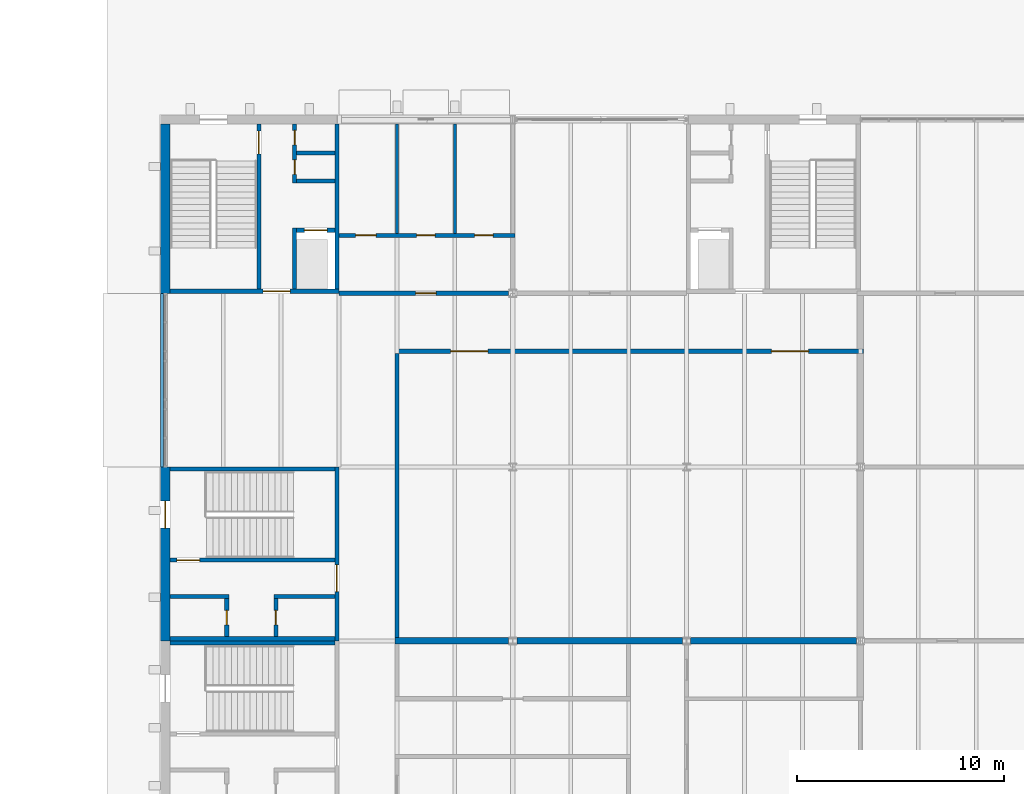
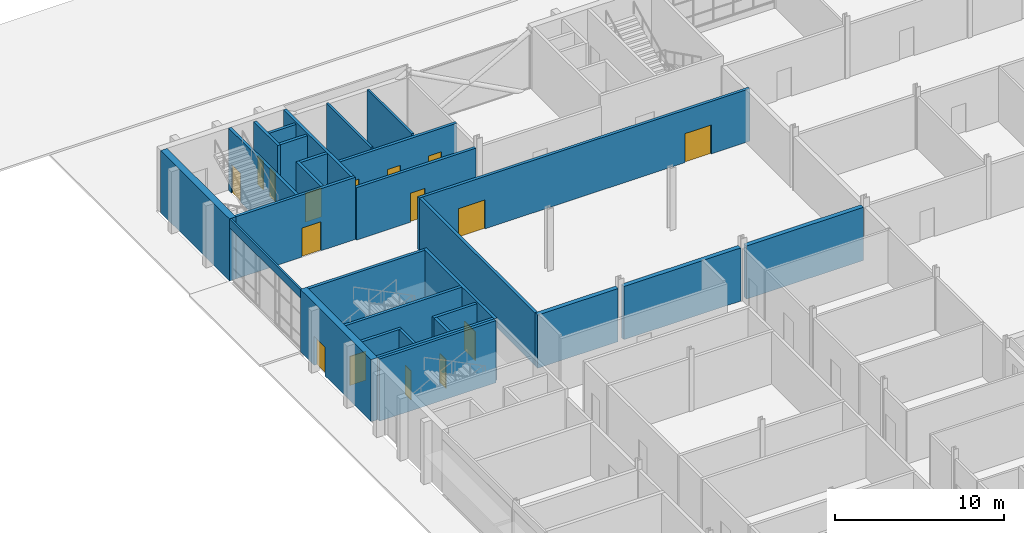
# One storey, part 90 of 116: 29 walls, 16 doors, 16 openings.
"""IFC4 building model written with IfcOpenShell, lengths in metres."""

import ifcopenshell
import ifcopenshell.guid

model = None  # the IFC model being written
_history = None  # IfcOwnerHistory: only IFC2X3 demands one
_inside = {}  # id of a spatial element -> (the spatial element, [elements in it])
_under = {}  # id of a project, library or spatial element -> (it, [spatial elements below it])
_declared = {}  # id of a project -> (the project, [libraries it declares])
_typed = {}  # id of a type object -> (the type object, [elements of that type])
_made_of = {}  # id of a material, layer set ... -> (it, [elements and type objects made of it])


def new_model(schema):
    """Start an empty IFC model of exactly this schema.

    Asked for "IFC4X3", IfcOpenShell would pick the latest addendum, in which some entities
    have other attributes; the version numbers below select the first issue.
    IFC2X3 requires an IfcOwnerHistory on every rooted entity: one is made here for all.
    """
    global model, _history
    if schema == "IFC4X3":
        model = ifcopenshell.file(schema_version=(4, 3, 0, 0))
    else:
        model = ifcopenshell.file(schema=schema)
    _inside.clear()
    _under.clear()
    _declared.clear()
    _typed.clear()
    _made_of.clear()
    _history = None
    if model.schema == "IFC2X3":
        org = make("IfcOrganization", Name="unknown")
        user = make(
            "IfcPersonAndOrganization",
            ThePerson=make("IfcPerson", FamilyName="unknown"),
            TheOrganization=org,
        )
        app = make(
            "IfcApplication",
            ApplicationDeveloper=org,
            Version="unknown",
            ApplicationFullName="unknown",
            ApplicationIdentifier="unknown",
        )
        _history = make(
            "IfcOwnerHistory",
            OwningUser=user,
            OwningApplication=app,
            ChangeAction="ADDED",
            CreationDate=0,
        )
    return model


def make(cls, **values):
    """One entity of the class cls with the attributes given. An attribute that is None is left unset."""
    return model.create_entity(
        cls, **{name: value for name, value in values.items() if value is not None}
    )


def rooted(cls, **values):
    """An entity with a GlobalId (a new one), such as an element, a storey or a relation."""
    return make(cls, GlobalId=ifcopenshell.guid.new(), OwnerHistory=_history, **values)


def si_unit(unit_type, name, prefix=None):
    """IfcSIUnit, for example si_unit("LENGTHUNIT", "METRE", prefix="MILLI")."""
    return make("IfcSIUnit", UnitType=unit_type, Prefix=prefix, Name=name)


def assignment(units):
    """IfcUnitAssignment: the units of a project."""
    return None if units is None else make("IfcUnitAssignment", Units=units)


def point(xyz):
    """IfcCartesianPoint."""
    return None if xyz is None else make("IfcCartesianPoint", Coordinates=xyz)


def direction(xyz):
    """IfcDirection."""
    return None if xyz is None else make("IfcDirection", DirectionRatios=xyz)


def frame(location, z_axis=None, x_axis=None):
    """IfcAxis2Placement3D, a coordinate frame: its origin and axes. An axis left out is left unset."""
    return make(
        "IfcAxis2Placement3D",
        Location=point(location),
        Axis=direction(z_axis),
        RefDirection=direction(x_axis),
    )


def frame_2d(location, x_axis=None):
    """IfcAxis2Placement2D, a coordinate frame in the plane: its origin and x axis."""
    return make(
        "IfcAxis2Placement2D", Location=point(location), RefDirection=direction(x_axis)
    )


def origin():
    """The frame at (0, 0, 0) with its axes left unset."""
    return frame((0.0, 0.0, 0.0))


def place(relative_to, where):
    """IfcLocalPlacement: puts the frame where relative to a parent placement (None: the world)."""
    return make(
        "IfcLocalPlacement", PlacementRelTo=relative_to, RelativePlacement=where
    )


def context(
    kind, dimensions, precision=None, world=None, true_north=None, identifier=None
):
    """IfcGeometricRepresentationContext, for example the 3D "Model" context."""
    return make(
        "IfcGeometricRepresentationContext",
        ContextIdentifier=identifier,
        ContextType=kind,
        CoordinateSpaceDimension=dimensions,
        Precision=precision,
        WorldCoordinateSystem=world,
        TrueNorth=true_north,
    )


def subcontext(parent, identifier, kind, view, scale=None):
    """IfcGeometricRepresentationSubContext, for example "Body" below "Model"."""
    return make(
        "IfcGeometricRepresentationSubContext",
        ContextIdentifier=identifier,
        ContextType=kind,
        ParentContext=parent,
        TargetScale=scale,
        TargetView=view,
    )


def project(units=None, contexts=None):
    """IfcProject with its units and contexts."""
    return rooted(
        "IfcProject",
        Name="project",
        RepresentationContexts=contexts,
        UnitsInContext=assignment(units),
    )


def spatial(cls, under=None, at=None, **own):
    """A site, building, storey or space (cls), placed at a placement, below another one or the project."""
    s = rooted(cls, ObjectPlacement=at, **own)
    if under is not None:
        _under.setdefault(under.id(), (under, []))[1].append(s)
    return s


def profile(cls, at=None, kind="AREA", **sizes):
    """A parametric profile (cls). Its sizes go by their IFC names, for example OverallWidth=200.0."""
    return make(cls, ProfileType=kind, Position=at, **sizes)


def rectangle(**sizes):
    """IfcRectangleProfileDef."""
    return profile("IfcRectangleProfileDef", **sizes)


def extrude(swept, where, along, depth):
    """IfcExtrudedAreaSolid: the profile swept, set in the frame where, extruded along a direction by depth."""
    return make(
        "IfcExtrudedAreaSolid",
        SweptArea=swept,
        Position=where,
        ExtrudedDirection=direction(along),
        Depth=depth,
    )


def shape(context_of_items, identifier, shape_type, items):
    """IfcShapeRepresentation: the items that make up one representation, for example the "Body"."""
    return make(
        "IfcShapeRepresentation",
        ContextOfItems=context_of_items,
        RepresentationIdentifier=identifier,
        RepresentationType=shape_type,
        Items=items,
    )


def material(Name=None, Category=None):
    """IfcMaterial."""
    return make("IfcMaterial", Name=Name, Category=Category)


def layer(
    of_material, thickness, ventilated=None, Name=None, Category=None, Priority=None
):
    """IfcMaterialLayer: one layer of a wall or slab, of a material (None: an air gap)."""
    return make(
        "IfcMaterialLayer",
        Material=of_material,
        LayerThickness=thickness,
        IsVentilated=ventilated,
        Name=Name,
        Category=Category,
        Priority=Priority,
    )


def layer_set(layers, Name=None):
    """IfcMaterialLayerSet."""
    return make("IfcMaterialLayerSet", MaterialLayers=layers, LayerSetName=Name)


def made_of(thing, what):
    """Note that an element or type object is made of a material, layer set ...; save() writes the relation."""
    if what is not None:
        _made_of.setdefault(what.id(), (what, []))[1].append(thing)
    return thing


def type_object(cls, material=None, **own):
    """A type object (cls), such as IfcWallType, which elements share."""
    return made_of(rooted(cls, **own), material)


def element(
    cls,
    number,
    at=None,
    inside=None,
    cuts=None,
    type_object=None,
    material=None,
    context=None,
    identifier="Body",
    shape_type=None,
    held_by="IfcProductDefinitionShape",
    body=None,
    shapes=None,
    **own,
):
    """One element of the class cls, such as IfcWall. Its Tag is "e" and its number.

    at: its placement. inside: the storey or other place that contains it. cuts: it is an
    opening in that element (IfcRelVoidsElement). A single representation is given by context,
    identifier, shape_type and body (its items); several are given by shapes. held_by: the class
    of the entity that holds the representations. save() writes the other relations.
    """
    e = rooted(cls, Tag="e%d" % number, ObjectPlacement=at, **own)
    if body is not None:
        shapes = [shape(context, identifier, shape_type, body)]
    if shapes is not None:
        e.Representation = make(held_by, Representations=shapes)
    if inside is not None:
        _inside.setdefault(inside.id(), (inside, []))[1].append(e)
    if cuts is not None:
        rooted(
            "IfcRelVoidsElement", RelatingBuildingElement=cuts, RelatedOpeningElement=e
        )
    if type_object is not None:
        _typed.setdefault(type_object.id(), (type_object, []))[1].append(e)
    return made_of(e, material)


def fill(opening, filler):
    """IfcRelFillsElement: the door or window that sits in an opening."""
    return rooted(
        "IfcRelFillsElement",
        RelatingOpeningElement=opening,
        RelatedBuildingElement=filler,
    )


def aggregate(whole, parts):
    """IfcRelAggregates: a whole, such as a stair, and the parts it consists of."""
    return rooted("IfcRelAggregates", RelatingObject=whole, RelatedObjects=parts)


def save(model, path):
    """Write the relations noted so far, then the file.

    IfcRelAggregates (storeys below a building ...), IfcRelContainedInSpatialStructure (elements
    in a storey), IfcRelDefinesByType, IfcRelAssociatesMaterial and IfcRelDeclares: one each for
    every whole, place, type object, material and project.
    """
    for whole, parts in _under.values():
        aggregate(whole, parts)
    for where, things in _inside.values():
        rooted(
            "IfcRelContainedInSpatialStructure",
            RelatedElements=things,
            RelatingStructure=where,
        )
    for kind, things in _typed.values():
        rooted("IfcRelDefinesByType", RelatedObjects=things, RelatingType=kind)
    for what, things in _made_of.values():
        rooted("IfcRelAssociatesMaterial", RelatedObjects=things, RelatingMaterial=what)
    for by, libraries in _declared.values():
        rooted("IfcRelDeclares", RelatingContext=by, RelatedDefinitions=libraries)
    model.write(path)


model = new_model("IFC4")

# Units and contexts
model_context = context("Model", 3, precision=1e-05, world=origin(), true_north=direction((0.0, 1.0)))
body_context = subcontext(model_context, "Body", "Model", "MODEL_VIEW")
ifc_project = project(units=[si_unit("LENGTHUNIT", "METRE"), si_unit("AREAUNIT", "SQUARE_METRE"), si_unit("VOLUMEUNIT", "CUBIC_METRE"), si_unit("PLANEANGLEUNIT", "RADIAN"), si_unit("MASSUNIT", "GRAM", prefix="KILO")], contexts=[model_context])

# Site, building, storey
site_placement = place(None, origin())
site = spatial("IfcSite", under=ifc_project, at=site_placement, CompositionType="ELEMENT")
building_placement = place(site_placement, origin())
building = spatial("IfcBuilding", under=site, at=building_placement, Name="Ardhachandra Cancer Care Centre", CompositionType="ELEMENT")
storey_placement = place(building_placement, origin())
storey = spatial("IfcBuildingStorey", under=building, at=storey_placement, Name="L00", CompositionType="ELEMENT", Elevation=0.0)

# Walls
ifc_material_1 = material(Name="Brick masonry", Category="masonry")
ifc_layer_1 = layer(ifc_material_1, 0.300048828125)
ifc_layer_set_1 = layer_set([ifc_layer_1], Name="Brick masonry")
wall_type_1 = type_object("IfcWallType", Name="COMPARTMENT WALL 300", PredefinedType="SOLIDWALL", material=ifc_layer_set_1)
wall_1_placement = place(storey_placement, frame((21.89990234375, 71.39990234375, 0.0), z_axis=(0.0, 0.0, 1.0), x_axis=(1.0, 0.0, 0.0)))
element("IfcWall", 1, at=wall_1_placement, inside=storey, type_object=wall_type_1, Name="R/wall/L00/h0071400_0021900", PredefinedType="SOLIDWALL", context=body_context, shape_type="SweptSolid", body=[
    extrude(rectangle(XDim=5.504638671875, YDim=0.300048828125, at=frame_2d((2.75244140625, 0.0))), origin(), (0.0, 0.0, 1.0), 3.85009765625),
])
for number, where, z_axis, x_axis, name in (
    (2, (27.79541015625, 71.39990234375, 0.0), (0.0, 0.0, 1.0), (1.0, 0.0, 0.0), "R/wall/L00/h0071400_0027796"),
    (3, (36.195556640625, 71.39990234375, 0.0), (0.0, 0.0, 1.0), (1.0, 0.0, 0.0), "R/wall/L00/h0071400_0036196"),
):
    element("IfcWall", number, at=place(storey_placement, frame(where, z_axis=z_axis, x_axis=x_axis)), inside=storey, type_object=wall_type_1, Name=name, PredefinedType="SOLIDWALL", context=body_context, shape_type="SweptSolid", body=[
        extrude(rectangle(XDim=8.009033203125, YDim=0.300048828125, at=frame_2d((4.00439453125, 0.0))), origin(), (0.0, 0.0, 1.0), 3.85009765625),
    ])

# Wall, openings, doors
ifc_material_2 = material(Name="Gypsum board corridor partition on steel studs", Category="steel")
ifc_layer_2 = layer(ifc_material_2, 0.199951171875)
ifc_layer_set_2 = layer_set([ifc_layer_2], Name="Gypsum board corridor partition on steel studs")
wall_type_2 = type_object("IfcWallType", Name="CORRIDOR WALL 200", PredefinedType="PARTITIONING", material=ifc_layer_set_2)
wall_2_placement = place(storey_placement, frame((21.89990234375, 85.39990234375, 0.0), z_axis=(0.0, 0.0, 1.0), x_axis=(1.0, 0.0, 0.0)))
wall_2 = element("IfcWall", 4, at=wall_2_placement, inside=storey, type_object=wall_type_2, Name="R/wall/L00/h0085400_0021900", PredefinedType="PARTITIONING", context=body_context, shape_type="SweptSolid", body=[
    extrude(rectangle(XDim=22.650146484375, YDim=0.199951171875, at=frame_2d((11.3251953125, 0.0))), origin(), (0.0, 0.0, 1.0), 3.800048828125),
])
opening_1_placement = place(wall_2_placement, frame((2.699951171875, 0.0, 0.0)))
opening_1 = element("IfcOpeningElement", 5, at=opening_1_placement, cuts=wall_2, Name="Opening L00-0033", PredefinedType="OPENING", context=body_context, shape_type="SweptSolid", body=[
    extrude(rectangle(XDim=1.800048828125, YDim=2.10009765625, at=frame_2d((0.89990234375, 1.050048828125))), frame((0.0, 0.10986328125, 0.0), z_axis=(0.0, -1.0, 0.0), x_axis=(1.0, 0.0, 0.0)), (0.0, 0.0, 1.0), 0.219970703125),
])
opening_2_placement = place(wall_2_placement, frame((18.199951171875, 0.0, 0.0)))
opening_2 = element("IfcOpeningElement", 6, at=opening_2_placement, cuts=wall_2, Name="Opening L00-0034", PredefinedType="OPENING", context=body_context, shape_type="SweptSolid", body=[
    extrude(rectangle(XDim=1.800048828125, YDim=2.10009765625, at=frame_2d((0.89990234375, 1.050048828125))), frame((0.0, 0.10986328125, 0.0), z_axis=(0.0, -1.0, 0.0), x_axis=(1.0, 0.0, 0.0)), (0.0, 0.0, 1.0), 0.219970703125),
])
ifc_material_3 = material(Name="Timber fire door with smoke seals", Category="wood")
door_type_1 = type_object("IfcDoorType", Name="FIRE DOOR DOUBLE 1800x2100 FD30S", OperationType="NOTDEFINED", PredefinedType="DOOR", material=ifc_material_3)
door_1_placement = place(opening_1_placement, origin())
door_1 = element("IfcDoor", 7, at=door_1_placement, inside=storey, type_object=door_type_1, Name="Door L00-0033", OperationType="DOUBLE_DOOR_SINGLE_SWING", OverallHeight=2.10009765625, OverallWidth=1.800048828125, PredefinedType="DOOR", context=body_context, shape_type="SweptSolid", body=[
    extrude(rectangle(XDim=1.800048828125, YDim=2.10009765625, at=frame_2d((0.89990234375, 1.050048828125))), frame((0.0, 0.02490234375, 0.0), z_axis=(0.0, -1.0, 0.0), x_axis=(1.0, 0.0, 0.0)), (0.0, 0.0, 1.0), 0.050048828125),
])
fill(opening_1, door_1)
door_2_placement = place(opening_2_placement, origin())
door_2 = element("IfcDoor", 8, at=door_2_placement, inside=storey, type_object=door_type_1, Name="Door L00-0034", OperationType="DOUBLE_DOOR_SINGLE_SWING", OverallHeight=2.10009765625, OverallWidth=1.800048828125, PredefinedType="DOOR", context=body_context, shape_type="SweptSolid", body=[
    extrude(rectangle(XDim=1.800048828125, YDim=2.10009765625, at=frame_2d((0.89990234375, 1.050048828125))), frame((0.0, 0.02490234375, 0.0), z_axis=(0.0, -1.0, 0.0), x_axis=(1.0, 0.0, 0.0)), (0.0, 0.0, 1.0), 0.050048828125),
])
fill(opening_2, door_2)

# Wall, opening, door
wall_3_placement = place(storey_placement, frame((19.199951171875, 88.199951171875, 0.0), z_axis=(0.0, 0.0, 1.0), x_axis=(1.0, 0.0, 0.0)))
wall_3 = element("IfcWall", 9, at=wall_3_placement, inside=storey, type_object=wall_type_2, Name="R/wall/L00/h0088200_0019200", PredefinedType="PARTITIONING", context=body_context, shape_type="SweptSolid", body=[
    extrude(rectangle(XDim=8.20458984375, YDim=0.199951171875, at=frame_2d((4.102294921875, 0.0))), origin(), (0.0, 0.0, 1.0), 3.800048828125),
])
opening_3_placement = place(wall_3_placement, frame((3.699951171875, 0.0, 0.0)))
opening_3 = element("IfcOpeningElement", 10, at=opening_3_placement, cuts=wall_3, Name="Opening L00-0035", PredefinedType="OPENING", context=body_context, shape_type="SweptSolid", body=[
    extrude(rectangle(XDim=1.0, YDim=2.10009765625, at=frame_2d((0.5, 1.050048828125))), frame((0.0, 0.10986328125, 0.0), z_axis=(0.0, -1.0, 0.0), x_axis=(1.0, 0.0, 0.0)), (0.0, 0.0, 1.0), 0.219970703125),
])
ifc_material_4 = material(Name="Timber fire door with smoke seals", Category="wood")
door_type_2 = type_object("IfcDoorType", Name="FIRE DOOR SINGLE 1000x2100 FD30S", OperationType="NOTDEFINED", PredefinedType="DOOR", material=ifc_material_4)
door_3_placement = place(opening_3_placement, origin())
door_3 = element("IfcDoor", 11, at=door_3_placement, inside=storey, type_object=door_type_2, Name="Door L00-0035", OperationType="SINGLE_SWING_RIGHT", OverallHeight=2.10009765625, OverallWidth=1.0, PredefinedType="DOOR", context=body_context, shape_type="SweptSolid", body=[
    extrude(rectangle(XDim=1.0, YDim=2.10009765625, at=frame_2d((0.5, 1.050048828125))), frame((0.0, 0.02490234375, 0.0), z_axis=(0.0, -1.0, 0.0), x_axis=(1.0, 0.0, 0.0)), (0.0, 0.0, 1.0), 0.050048828125),
])
fill(opening_3, door_3)

# Wall, openings, doors
wall_4_placement = place(storey_placement, frame((19.199951171875, 91.0, 0.0), z_axis=(0.0, 0.0, 1.0), x_axis=(1.0, 0.0, 0.0)))
wall_4 = element("IfcWall", 12, at=wall_4_placement, inside=storey, type_object=wall_type_2, Name="R/wall/L00/h0091000_0019200", PredefinedType="PARTITIONING", context=body_context, shape_type="SweptSolid", body=[
    extrude(rectangle(XDim=8.5, YDim=0.199951171875, at=frame_2d((4.25, 0.0))), origin(), (0.0, 0.0, 1.0), 3.800048828125),
])
opening_4_placement = place(wall_4_placement, frame((0.800048828125, 0.0, 0.0)))
opening_4 = element("IfcOpeningElement", 13, at=opening_4_placement, cuts=wall_4, Name="Opening L00-0043", PredefinedType="OPENING", context=body_context, shape_type="SweptSolid", body=[
    extrude(rectangle(XDim=1.0, YDim=2.10009765625, at=frame_2d((0.5, 1.050048828125))), frame((0.0, 0.10986328125, 0.0), z_axis=(0.0, -1.0, 0.0), x_axis=(1.0, 0.0, 0.0)), (0.0, 0.0, 1.0), 0.219970703125),
])
opening_5_placement = place(wall_4_placement, frame((3.75, 0.0, 0.0)))
opening_5 = element("IfcOpeningElement", 14, at=opening_5_placement, cuts=wall_4, Name="Opening L00-0044", PredefinedType="OPENING", context=body_context, shape_type="SweptSolid", body=[
    extrude(rectangle(XDim=0.89990234375, YDim=2.10009765625, at=frame_2d((0.449951171875, 1.050048828125))), frame((0.0, 0.10986328125, 0.0), z_axis=(0.0, -1.0, 0.0), x_axis=(1.0, 0.0, 0.0)), (0.0, 0.0, 1.0), 0.219970703125),
])
opening_6_placement = place(wall_4_placement, frame((6.550048828125, 0.0, 0.0)))
opening_6 = element("IfcOpeningElement", 15, at=opening_6_placement, cuts=wall_4, Name="Opening L00-0045", PredefinedType="OPENING", context=body_context, shape_type="SweptSolid", body=[
    extrude(rectangle(XDim=0.89990234375, YDim=2.10009765625, at=frame_2d((0.449951171875, 1.050048828125))), frame((0.0, 0.10986328125, 0.0), z_axis=(0.0, -1.0, 0.0), x_axis=(1.0, 0.0, 0.0)), (0.0, 0.0, 1.0), 0.219970703125),
])
door_4_placement = place(opening_4_placement, origin())
door_4 = element("IfcDoor", 16, at=door_4_placement, inside=storey, type_object=door_type_2, Name="Door L00-0043", OperationType="SINGLE_SWING_RIGHT", OverallHeight=2.10009765625, OverallWidth=1.0, PredefinedType="DOOR", context=body_context, shape_type="SweptSolid", body=[
    extrude(rectangle(XDim=1.0, YDim=2.10009765625, at=frame_2d((0.5, 1.050048828125))), frame((0.0, 0.02490234375, 0.0), z_axis=(0.0, -1.0, 0.0), x_axis=(1.0, 0.0, 0.0)), (0.0, 0.0, 1.0), 0.050048828125),
])
fill(opening_4, door_4)
ifc_material_5 = material(Name="Timber fire door with smoke seals", Category="wood")
door_type_3 = type_object("IfcDoorType", Name="FIRE DOOR WC 900x2100 FD30S", OperationType="NOTDEFINED", PredefinedType="DOOR", material=ifc_material_5)
door_5_placement = place(opening_5_placement, origin())
door_5 = element("IfcDoor", 17, at=door_5_placement, inside=storey, type_object=door_type_3, Name="Door L00-0044", OperationType="SINGLE_SWING_RIGHT", OverallHeight=2.10009765625, OverallWidth=0.89990234375, PredefinedType="DOOR", context=body_context, shape_type="SweptSolid", body=[
    extrude(rectangle(XDim=0.89990234375, YDim=2.10009765625, at=frame_2d((0.449951171875, 1.050048828125))), frame((0.0, 0.02490234375, 0.0), z_axis=(0.0, -1.0, 0.0), x_axis=(1.0, 0.0, 0.0)), (0.0, 0.0, 1.0), 0.050048828125),
])
fill(opening_5, door_5)
door_6_placement = place(opening_6_placement, origin())
door_6 = element("IfcDoor", 18, at=door_6_placement, inside=storey, type_object=door_type_3, Name="Door L00-0045", OperationType="SINGLE_SWING_RIGHT", OverallHeight=2.10009765625, OverallWidth=0.89990234375, PredefinedType="DOOR", context=body_context, shape_type="SweptSolid", body=[
    extrude(rectangle(XDim=0.89990234375, YDim=2.10009765625, at=frame_2d((0.449951171875, 1.050048828125))), frame((0.0, 0.02490234375, 0.0), z_axis=(0.0, -1.0, 0.0), x_axis=(1.0, 0.0, 0.0)), (0.0, 0.0, 1.0), 0.050048828125),
])
fill(opening_6, door_6)

# Walls
wall_5_placement = place(storey_placement, frame((22.0, 71.550048828125, 0.0), z_axis=(0.0, 0.0, 1.0), x_axis=(0.0, 1.0, 0.0)))
element("IfcWall", 19, at=wall_5_placement, inside=storey, type_object=wall_type_2, Name="R/wall/L00/v0022000_0071550", PredefinedType="PARTITIONING", context=body_context, shape_type="SweptSolid", body=[
    extrude(rectangle(XDim=13.75, YDim=0.199951171875, at=frame_2d((6.875, 0.0))), origin(), (0.0, 0.0, 1.0), 3.800048828125),
])
ifc_material_6 = material(Name="Concrete M40", Category="concrete")
ifc_layer_3 = layer(ifc_material_6, 0.449951171875)
ifc_layer_set_3 = layer_set([ifc_layer_3], Name="Concrete M40")
wall_type_3 = type_object("IfcWallType", Name="Core exterior wall RC 450", PredefinedType="SOLIDWALL", material=ifc_layer_set_3)
wall_6_placement = place(storey_placement, frame((10.800048828125, 88.199951171875, 0.0), z_axis=(0.0, 0.0, 1.0), x_axis=(0.0, 1.0, 0.0)))
element("IfcWall", 20, at=wall_6_placement, inside=storey, type_object=wall_type_3, Name="Core wall K4 UW", PredefinedType="SOLIDWALL", context=body_context, shape_type="SweptSolid", body=[
    extrude(rectangle(XDim=8.175048828125, YDim=0.449951171875, at=frame_2d((4.08740234375, 0.0))), origin(), (0.0, 0.0, 1.0), 4.5),
])

# Wall, opening, door
wall_7_placement = place(storey_placement, frame((10.800048828125, 79.800048828125, 0.0), z_axis=(0.0, 0.0, 1.0), x_axis=(0.0, -1.0, 0.0)))
wall_7 = element("IfcWall", 21, at=wall_7_placement, inside=storey, type_object=wall_type_3, Name="Core wall K6 FAR", PredefinedType="SOLIDWALL", context=body_context, shape_type="SweptSolid", body=[
    extrude(rectangle(XDim=8.400146484375, YDim=0.449951171875, at=frame_2d((4.2001953125, 0.0))), origin(), (0.0, 0.0, 1.0), 4.5),
])
opening_7_placement = place(wall_7_placement, frame((1.64990234375, 0.0, 0.0)))
opening_7 = element("IfcOpeningElement", 22, at=opening_7_placement, cuts=wall_7, Name="Opening L00-K06-5", PredefinedType="OPENING", context=body_context, shape_type="SweptSolid", body=[
    extrude(rectangle(XDim=1.300048828125, YDim=2.10009765625, at=frame_2d((0.64990234375, 1.050048828125))), frame((0.0, 0.23486328125, 0.0), z_axis=(0.0, -1.0, 0.0), x_axis=(1.0, 0.0, 0.0)), (0.0, 0.0, 1.0), 0.469970703125),
])
ifc_material_7 = material(Name="Steel door set", Category="steel")
door_type_4 = type_object("IfcDoorType", Name="Core exit double door 1300x2100 FD60S", OperationType="DOUBLE_DOOR_DOUBLE_SWING", PredefinedType="DOOR", material=ifc_material_7)
door_7_placement = place(opening_7_placement, origin())
door_7 = element("IfcDoor", 23, at=door_7_placement, inside=storey, type_object=door_type_4, Name="Stair exit door", OperationType="DOUBLE_DOOR_DOUBLE_SWING", OverallHeight=2.10009765625, OverallWidth=1.300048828125, PredefinedType="DOOR", context=body_context, shape_type="SweptSolid", body=[
    extrude(rectangle(XDim=1.300048828125, YDim=2.10009765625, at=frame_2d((0.64990234375, 1.050048828125))), frame((0.0, 0.02490234375, 0.0), z_axis=(0.0, -1.0, 0.0), x_axis=(1.0, 0.0, 0.0)), (0.0, 0.0, 1.0), 0.050048828125),
])
fill(opening_7, door_7)

# Wall
ifc_material_8 = material(Name="Concrete M40", Category="concrete")
ifc_layer_4 = layer(ifc_material_8, 0.199951171875)
ifc_layer_set_4 = layer_set([ifc_layer_4], Name="Concrete M40")
wall_type_4 = type_object("IfcWallType", Name="Core wall RC 200", PredefinedType="SOLIDWALL", material=ifc_layer_set_4)
wall_8_placement = place(storey_placement, frame((19.0, 71.300048828125, 0.0), z_axis=(0.0, 0.0, 1.0), x_axis=(-1.0, 0.0, 0.0)))
element("IfcWall", 24, at=wall_8_placement, inside=storey, type_object=wall_type_4, Name="Core wall K3 UW", PredefinedType="SOLIDWALL", context=body_context, shape_type="SweptSolid", body=[
    extrude(rectangle(XDim=7.97509765625, YDim=0.199951171875, at=frame_2d((3.987548828125, 0.0))), origin(), (0.0, 0.0, 1.0), 4.5),
])

# Wall, opening, door
wall_9_placement = place(storey_placement, frame((11.02490234375, 88.300048828125, 0.0), z_axis=(0.0, 0.0, 1.0), x_axis=(1.0, 0.0, 0.0)))
wall_9 = element("IfcWall", 25, at=wall_9_placement, inside=storey, type_object=wall_type_4, Name="Core wall K4 ENT", PredefinedType="SOLIDWALL", context=body_context, shape_type="SweptSolid", body=[
    extrude(rectangle(XDim=8.175048828125, YDim=0.199951171875, at=frame_2d((4.08740234375, 0.0))), origin(), (0.0, 0.0, 1.0), 4.5),
])
opening_8_placement = place(wall_9_placement, frame((4.512451171875, 0.0, 0.0)))
opening_8 = element("IfcOpeningElement", 26, at=opening_8_placement, cuts=wall_9, Name="Opening L00-K04-1", PredefinedType="OPENING", context=body_context, shape_type="SweptSolid", body=[
    extrude(rectangle(XDim=1.300048828125, YDim=2.10009765625, at=frame_2d((0.64990234375, 1.050048828125))), frame((0.0, 0.10986328125, 0.0), z_axis=(0.0, -1.0, 0.0), x_axis=(1.0, 0.0, 0.0)), (0.0, 0.0, 1.0), 0.219970703125),
])
ifc_material_9 = material(Name="Steel door set", Category="steel")
door_type_5 = type_object("IfcDoorType", Name="Core entry double door 1300x2100 FD60", OperationType="DOUBLE_DOOR_DOUBLE_SWING", PredefinedType="DOOR", material=ifc_material_9)
door_8_placement = place(opening_8_placement, origin())
door_8 = element("IfcDoor", 27, at=door_8_placement, inside=storey, type_object=door_type_5, Name="Core entry door", OperationType="DOUBLE_DOOR_DOUBLE_SWING", OverallHeight=2.10009765625, OverallWidth=1.300048828125, PredefinedType="DOOR", context=body_context, shape_type="SweptSolid", body=[
    extrude(rectangle(XDim=1.300048828125, YDim=2.10009765625, at=frame_2d((0.64990234375, 1.050048828125))), frame((0.0, 0.02490234375, 0.0), z_axis=(0.0, -1.0, 0.0), x_axis=(1.0, 0.0, 0.0)), (0.0, 0.0, 1.0), 0.050048828125),
])
fill(opening_8, door_8)

# Wall
wall_10_placement = place(storey_placement, frame((19.10009765625, 88.39990234375, 0.0), z_axis=(0.0, 0.0, 1.0), x_axis=(0.0, 1.0, 0.0)))
element("IfcWall", 28, at=wall_10_placement, inside=storey, type_object=wall_type_4, Name="Core wall K4 UE", PredefinedType="SOLIDWALL", context=body_context, shape_type="SweptSolid", body=[
    extrude(rectangle(XDim=7.97509765625, YDim=0.199951171875, at=frame_2d((3.987548828125, 0.0))), origin(), (0.0, 0.0, 1.0), 4.5),
])

# Wall, opening, door
wall_11_placement = place(storey_placement, frame((15.324951171875, 88.39990234375, 0.0), z_axis=(0.0, 0.0, 1.0), x_axis=(0.0, 1.0, 0.0)))
wall_11 = element("IfcWall", 29, at=wall_11_placement, inside=storey, type_object=wall_type_4, Name="Core wall K4 P1", PredefinedType="SOLIDWALL", context=body_context, shape_type="SweptSolid", body=[
    extrude(rectangle(XDim=7.97509765625, YDim=0.199951171875, at=frame_2d((3.987548828125, 0.0))), origin(), (0.0, 0.0, 1.0), 4.5),
])
opening_9_placement = place(wall_11_placement, frame((6.53759765625, 0.0, 0.0)))
opening_9 = element("IfcOpeningElement", 30, at=opening_9_placement, cuts=wall_11, Name="Opening L00-K04-2", PredefinedType="OPENING", context=body_context, shape_type="SweptSolid", body=[
    extrude(rectangle(XDim=1.10009765625, YDim=2.10009765625, at=frame_2d((0.550048828125, 1.050048828125))), frame((0.0, 0.10986328125, 0.0), z_axis=(0.0, -1.0, 0.0), x_axis=(1.0, 0.0, 0.0)), (0.0, 0.0, 1.0), 0.219970703125),
])
ifc_material_10 = material(Name="Steel door set", Category="steel")
door_type_6 = type_object("IfcDoorType", Name="Stair door 1100x2100 FD60S", OperationType="NOTDEFINED", PredefinedType="DOOR", material=ifc_material_10)
door_9_placement = place(opening_9_placement, origin())
door_9 = element("IfcDoor", 31, at=door_9_placement, inside=storey, type_object=door_type_6, Name="Stair door", OperationType="SINGLE_SWING_RIGHT", OverallHeight=2.10009765625, OverallWidth=1.10009765625, PredefinedType="DOOR", context=body_context, shape_type="SweptSolid", body=[
    extrude(rectangle(XDim=1.10009765625, YDim=2.10009765625, at=frame_2d((0.550048828125, 1.050048828125))), frame((0.0, 0.02490234375, 0.0), z_axis=(0.0, -1.0, 0.0), x_axis=(1.0, 0.0, 0.0)), (0.0, 0.0, 1.0), 0.050048828125),
])
fill(opening_9, door_9)

# Wall
wall_12_placement = place(storey_placement, frame((17.050048828125, 88.39990234375, 0.0), z_axis=(0.0, 0.0, 1.0), x_axis=(0.0, 1.0, 0.0)))
element("IfcWall", 32, at=wall_12_placement, inside=storey, type_object=wall_type_4, Name="Core wall K4 P2A", PredefinedType="SOLIDWALL", context=body_context, shape_type="SweptSolid", body=[
    extrude(rectangle(XDim=2.9501953125, YDim=0.199951171875, at=frame_2d((1.47509765625, 0.0))), origin(), (0.0, 0.0, 1.0), 4.5),
])

# Wall, openings, doors
wall_13_placement = place(storey_placement, frame((17.050048828125, 93.52490234375, 0.0), z_axis=(0.0, 0.0, 1.0), x_axis=(0.0, 1.0, 0.0)))
wall_13 = element("IfcWall", 33, at=wall_13_placement, inside=storey, type_object=wall_type_4, Name="Core wall K4 P2B", PredefinedType="SOLIDWALL", context=body_context, shape_type="SweptSolid", body=[
    extrude(rectangle(XDim=2.85009765625, YDim=0.199951171875, at=frame_2d((1.425048828125, 0.0))), origin(), (0.0, 0.0, 1.0), 4.35009765625),
])
opening_10_placement = place(wall_13_placement, frame((0.425048828125, 0.0, 0.0)))
opening_10 = element("IfcOpeningElement", 34, at=opening_10_placement, cuts=wall_13, Name="Opening L00-K04-4", PredefinedType="OPENING", context=body_context, shape_type="SweptSolid", body=[
    extrude(rectangle(XDim=0.699951171875, YDim=2.10009765625, at=frame_2d((0.35009765625, 1.050048828125))), frame((0.0, 0.10986328125, 0.0), z_axis=(0.0, -1.0, 0.0), x_axis=(1.0, 0.0, 0.0)), (0.0, 0.0, 1.0), 0.219970703125),
])
opening_11_placement = place(wall_13_placement, frame((1.85009765625, 0.0, 0.0)))
opening_11 = element("IfcOpeningElement", 35, at=opening_11_placement, cuts=wall_13, Name="Opening L00-K04-5", PredefinedType="OPENING", context=body_context, shape_type="SweptSolid", body=[
    extrude(rectangle(XDim=0.699951171875, YDim=2.10009765625, at=frame_2d((0.35009765625, 1.050048828125))), frame((0.0, 0.10986328125, 0.0), z_axis=(0.0, -1.0, 0.0), x_axis=(1.0, 0.0, 0.0)), (0.0, 0.0, 1.0), 0.219970703125),
])
ifc_material_11 = material(Name="Steel door set", Category="steel")
door_type_7 = type_object("IfcDoorType", Name="Riser access door 700x2100 FD120S", OperationType="NOTDEFINED", PredefinedType="DOOR", material=ifc_material_11)
door_10_placement = place(opening_10_placement, origin())
door_10 = element("IfcDoor", 36, at=door_10_placement, inside=storey, type_object=door_type_7, Name="Riser access door", OperationType="SINGLE_SWING_LEFT", OverallHeight=2.10009765625, OverallWidth=0.699951171875, PredefinedType="DOOR", context=body_context, shape_type="SweptSolid", body=[
    extrude(rectangle(XDim=0.699951171875, YDim=2.10009765625, at=frame_2d((0.35009765625, 1.050048828125))), frame((0.0, 0.02490234375, 0.0), z_axis=(0.0, -1.0, 0.0), x_axis=(1.0, 0.0, 0.0)), (0.0, 0.0, 1.0), 0.050048828125),
])
fill(opening_10, door_10)
door_11_placement = place(opening_11_placement, origin())
door_11 = element("IfcDoor", 37, at=door_11_placement, inside=storey, type_object=door_type_7, Name="Riser access door", OperationType="SINGLE_SWING_RIGHT", OverallHeight=2.10009765625, OverallWidth=0.699951171875, PredefinedType="DOOR", context=body_context, shape_type="SweptSolid", body=[
    extrude(rectangle(XDim=0.699951171875, YDim=2.10009765625, at=frame_2d((0.35009765625, 1.050048828125))), frame((0.0, 0.02490234375, 0.0), z_axis=(0.0, -1.0, 0.0), x_axis=(1.0, 0.0, 0.0)), (0.0, 0.0, 1.0), 0.050048828125),
])
fill(opening_11, door_11)

# Wall, opening, door
wall_14_placement = place(storey_placement, frame((17.14990234375, 91.25, 0.0), z_axis=(0.0, 0.0, 1.0), x_axis=(1.0, 0.0, 0.0)))
wall_14 = element("IfcWall", 38, at=wall_14_placement, inside=storey, type_object=wall_type_4, Name="Core wall K4 W1", PredefinedType="SOLIDWALL", context=body_context, shape_type="SweptSolid", body=[
    extrude(rectangle(XDim=1.85009765625, YDim=0.199951171875, at=frame_2d((0.925048828125, 0.0))), origin(), (0.0, 0.0, 1.0), 4.5),
])
opening_12_placement = place(wall_14_placement, frame((0.375, 0.0, 0.0)))
opening_12 = element("IfcOpeningElement", 39, at=opening_12_placement, cuts=wall_14, Name="Opening L00-K04-3", PredefinedType="OPENING", context=body_context, shape_type="SweptSolid", body=[
    extrude(rectangle(XDim=1.10009765625, YDim=2.10009765625, at=frame_2d((0.550048828125, 1.050048828125))), frame((0.0, 0.10986328125, 0.0), z_axis=(0.0, -1.0, 0.0), x_axis=(1.0, 0.0, 0.0)), (0.0, 0.0, 1.0), 0.219970703125),
])
ifc_material_12 = material(Name="Stainless steel (grade 304)", Category="steel")
door_type_8 = type_object("IfcDoorType", Name="Lift landing door 1100x2100", OperationType="DOUBLE_DOOR_SLIDING", PredefinedType="DOOR", material=ifc_material_12)
door_12_placement = place(opening_12_placement, origin())
door_12 = element("IfcDoor", 40, at=door_12_placement, inside=storey, type_object=door_type_8, Name="Lift landing door LF-K4-1", OperationType="DOUBLE_DOOR_SLIDING", OverallHeight=2.10009765625, OverallWidth=1.10009765625, PredefinedType="DOOR", context=body_context, shape_type="SweptSolid", body=[
    extrude(rectangle(XDim=1.10009765625, YDim=2.10009765625, at=frame_2d((0.550048828125, 1.050048828125))), frame((0.0, 0.02490234375, 0.0), z_axis=(0.0, -1.0, 0.0), x_axis=(1.0, 0.0, 0.0)), (0.0, 0.0, 1.0), 0.050048828125),
])
fill(opening_12, door_12)

# Walls
for number, where, z_axis, x_axis, name in (
    (41, (17.14990234375, 93.625, 0.0), (0.0, 0.0, 1.0), (1.0, 0.0, 0.0), "Core wall K4 W2"),
    (42, (17.14990234375, 94.97509765625, 0.0), (0.0, 0.0, 1.0), (1.0, 0.0, 0.0), "Core wall K4 DIV"),
):
    element("IfcWall", number, at=place(storey_placement, frame(where, z_axis=z_axis, x_axis=x_axis)), inside=storey, type_object=wall_type_4, Name=name, PredefinedType="SOLIDWALL", context=body_context, shape_type="SweptSolid", body=[
        extrude(rectangle(XDim=1.85009765625, YDim=0.199951171875, at=frame_2d((0.925048828125, 0.0))), origin(), (0.0, 0.0, 1.0), 4.35009765625),
    ])

# Wall, opening, door
wall_15_placement = place(storey_placement, frame((19.10009765625, 79.800048828125, 0.0), z_axis=(0.0, 0.0, 1.0), x_axis=(0.0, -1.0, 0.0)))
wall_15 = element("IfcWall", 43, at=wall_15_placement, inside=storey, type_object=wall_type_4, Name="Core wall K6 ENT", PredefinedType="SOLIDWALL", context=body_context, shape_type="SweptSolid", body=[
    extrude(rectangle(XDim=8.400146484375, YDim=0.199951171875, at=frame_2d((4.2001953125, 0.0))), origin(), (0.0, 0.0, 1.0), 4.5),
])
opening_13_placement = place(wall_15_placement, frame((4.72509765625, 0.0, 0.0)))
opening_13 = element("IfcOpeningElement", 44, at=opening_13_placement, cuts=wall_15, Name="Opening L00-K06-1", PredefinedType="OPENING", context=body_context, shape_type="SweptSolid", body=[
    extrude(rectangle(XDim=1.300048828125, YDim=2.10009765625, at=frame_2d((0.64990234375, 1.050048828125))), frame((0.0, 0.10986328125, 0.0), z_axis=(0.0, -1.0, 0.0), x_axis=(1.0, 0.0, 0.0)), (0.0, 0.0, 1.0), 0.219970703125),
])
door_13_placement = place(opening_13_placement, origin())
door_13 = element("IfcDoor", 45, at=door_13_placement, inside=storey, type_object=door_type_5, Name="Core entry door", OperationType="DOUBLE_DOOR_DOUBLE_SWING", OverallHeight=2.10009765625, OverallWidth=1.300048828125, PredefinedType="DOOR", context=body_context, shape_type="SweptSolid", body=[
    extrude(rectangle(XDim=1.300048828125, YDim=2.10009765625, at=frame_2d((0.64990234375, 1.050048828125))), frame((0.0, 0.02490234375, 0.0), z_axis=(0.0, -1.0, 0.0), x_axis=(1.0, 0.0, 0.0)), (0.0, 0.0, 1.0), 0.050048828125),
])
fill(opening_13, door_13)

# Walls
for number, where, z_axis, x_axis, name in (
    (46, (19.0, 79.699951171875, 0.0), (0.0, 0.0, 1.0), (-1.0, 0.0, 0.0), "Core wall K6 UW"),
    (47, (19.0, 71.5, 0.0), (0.0, 0.0, 1.0), (-1.0, 0.0, 0.0), "Core wall K6 UE"),
):
    element("IfcWall", number, at=place(storey_placement, frame(where, z_axis=z_axis, x_axis=x_axis)), inside=storey, type_object=wall_type_4, Name=name, PredefinedType="SOLIDWALL", context=body_context, shape_type="SweptSolid", body=[
        extrude(rectangle(XDim=7.97509765625, YDim=0.199951171875, at=frame_2d((3.987548828125, 0.0))), origin(), (0.0, 0.0, 1.0), 4.5),
    ])

# Wall, opening, door
wall_16_placement = place(storey_placement, frame((19.0, 75.300048828125, 0.0), z_axis=(0.0, 0.0, 1.0), x_axis=(-1.0, 0.0, 0.0)))
wall_16 = element("IfcWall", 48, at=wall_16_placement, inside=storey, type_object=wall_type_4, Name="Core wall K6 P1", PredefinedType="SOLIDWALL", context=body_context, shape_type="SweptSolid", body=[
    extrude(rectangle(XDim=7.97509765625, YDim=0.199951171875, at=frame_2d((3.987548828125, 0.0))), origin(), (0.0, 0.0, 1.0), 4.5),
])
opening_14_placement = place(wall_16_placement, frame((6.53759765625, 0.0, 0.0)))
opening_14 = element("IfcOpeningElement", 49, at=opening_14_placement, cuts=wall_16, Name="Opening L00-K06-2", PredefinedType="OPENING", context=body_context, shape_type="SweptSolid", body=[
    extrude(rectangle(XDim=1.10009765625, YDim=2.10009765625, at=frame_2d((0.550048828125, 1.050048828125))), frame((0.0, 0.10986328125, 0.0), z_axis=(0.0, -1.0, 0.0), x_axis=(1.0, 0.0, 0.0)), (0.0, 0.0, 1.0), 0.219970703125),
])
door_14_placement = place(opening_14_placement, origin())
door_14 = element("IfcDoor", 50, at=door_14_placement, inside=storey, type_object=door_type_6, Name="Stair door", OperationType="SINGLE_SWING_LEFT", OverallHeight=2.10009765625, OverallWidth=1.10009765625, PredefinedType="DOOR", context=body_context, shape_type="SweptSolid", body=[
    extrude(rectangle(XDim=1.10009765625, YDim=2.10009765625, at=frame_2d((0.550048828125, 1.050048828125))), frame((0.0, 0.02490234375, 0.0), z_axis=(0.0, -1.0, 0.0), x_axis=(1.0, 0.0, 0.0)), (0.0, 0.0, 1.0), 0.050048828125),
])
fill(opening_14, door_14)

# Walls
wall_17_placement = place(storey_placement, frame((19.0, 73.550048828125, 0.0), z_axis=(0.0, 0.0, 1.0), x_axis=(-1.0, 0.0, 0.0)))
element("IfcWall", 51, at=wall_17_placement, inside=storey, type_object=wall_type_4, Name="Core wall K6 P2A", PredefinedType="SOLIDWALL", context=body_context, shape_type="SweptSolid", body=[
    extrude(rectangle(XDim=2.949951171875, YDim=0.199951171875, at=frame_2d((1.47509765625, 0.0))), origin(), (0.0, 0.0, 1.0), 4.35009765625),
])
wall_18_placement = place(storey_placement, frame((13.875, 73.550048828125, 0.0), z_axis=(0.0, 0.0, 1.0), x_axis=(-1.0, 0.0, 0.0)))
element("IfcWall", 52, at=wall_18_placement, inside=storey, type_object=wall_type_4, Name="Core wall K6 P2B", PredefinedType="SOLIDWALL", context=body_context, shape_type="SweptSolid", body=[
    extrude(rectangle(XDim=2.85009765625, YDim=0.199951171875, at=frame_2d((1.425048828125, 0.0))), origin(), (0.0, 0.0, 1.0), 4.35009765625),
])

# Wall, opening, door
wall_19_placement = place(storey_placement, frame((16.14990234375, 73.449951171875, 0.0), z_axis=(0.0, 0.0, 1.0), x_axis=(0.0, -1.0, 0.0)))
wall_19 = element("IfcWall", 53, at=wall_19_placement, inside=storey, type_object=wall_type_4, Name="Core wall K6 W1", PredefinedType="SOLIDWALL", context=body_context, shape_type="SweptSolid", body=[
    extrude(rectangle(XDim=1.849853515625, YDim=0.199951171875, at=frame_2d((0.9248046875, 0.0))), origin(), (0.0, 0.0, 1.0), 4.35009765625),
])
opening_15_placement = place(wall_19_placement, frame((0.574951171875, 0.0, 0.0)))
opening_15 = element("IfcOpeningElement", 54, at=opening_15_placement, cuts=wall_19, Name="Opening L00-K06-3", PredefinedType="OPENING", context=body_context, shape_type="SweptSolid", body=[
    extrude(rectangle(XDim=0.699951171875, YDim=2.10009765625, at=frame_2d((0.35009765625, 1.050048828125))), frame((0.0, 0.10986328125, 0.0), z_axis=(0.0, -1.0, 0.0), x_axis=(1.0, 0.0, 0.0)), (0.0, 0.0, 1.0), 0.219970703125),
])
door_15_placement = place(opening_15_placement, origin())
door_15 = element("IfcDoor", 55, at=door_15_placement, inside=storey, type_object=door_type_7, Name="Riser access door", OperationType="SINGLE_SWING_RIGHT", OverallHeight=2.10009765625, OverallWidth=0.699951171875, PredefinedType="DOOR", context=body_context, shape_type="SweptSolid", body=[
    extrude(rectangle(XDim=0.699951171875, YDim=2.10009765625, at=frame_2d((0.35009765625, 1.050048828125))), frame((0.0, 0.02490234375, 0.0), z_axis=(0.0, -1.0, 0.0), x_axis=(1.0, 0.0, 0.0)), (0.0, 0.0, 1.0), 0.050048828125),
])
fill(opening_15, door_15)

wall_20_placement = place(storey_placement, frame((13.77490234375, 73.449951171875, 0.0), z_axis=(0.0, 0.0, 1.0), x_axis=(0.0, -1.0, 0.0)))
wall_20 = element("IfcWall", 56, at=wall_20_placement, inside=storey, type_object=wall_type_4, Name="Core wall K6 W2", PredefinedType="SOLIDWALL", context=body_context, shape_type="SweptSolid", body=[
    extrude(rectangle(XDim=1.849853515625, YDim=0.199951171875, at=frame_2d((0.9248046875, 0.0))), origin(), (0.0, 0.0, 1.0), 4.35009765625),
])
opening_16_placement = place(wall_20_placement, frame((0.574951171875, 0.0, 0.0)))
opening_16 = element("IfcOpeningElement", 57, at=opening_16_placement, cuts=wall_20, Name="Opening L00-K06-4", PredefinedType="OPENING", context=body_context, shape_type="SweptSolid", body=[
    extrude(rectangle(XDim=0.699951171875, YDim=2.10009765625, at=frame_2d((0.35009765625, 1.050048828125))), frame((0.0, 0.10986328125, 0.0), z_axis=(0.0, -1.0, 0.0), x_axis=(1.0, 0.0, 0.0)), (0.0, 0.0, 1.0), 0.219970703125),
])
door_16_placement = place(opening_16_placement, origin())
door_16 = element("IfcDoor", 58, at=door_16_placement, inside=storey, type_object=door_type_7, Name="Riser access door", OperationType="SINGLE_SWING_RIGHT", OverallHeight=2.10009765625, OverallWidth=0.699951171875, PredefinedType="DOOR", context=body_context, shape_type="SweptSolid", body=[
    extrude(rectangle(XDim=0.699951171875, YDim=2.10009765625, at=frame_2d((0.35009765625, 1.050048828125))), frame((0.0, 0.02490234375, 0.0), z_axis=(0.0, -1.0, 0.0), x_axis=(1.0, 0.0, 0.0)), (0.0, 0.0, 1.0), 0.050048828125),
])
fill(opening_16, door_16)

# Walls
ifc_material_13 = material(Name="Precast Concrete M30 fascia panel with brick slip facing", Category="masonry")
ifc_layer_5 = layer(ifc_material_13, 0.1298828125)
ifc_layer_set_5 = layer_set([ifc_layer_5], Name="Precast Concrete M30 fascia panel with brick slip facing")
wall_type_5 = type_object("IfcWallType", Name="Edge beam fascia 130", PredefinedType="SOLIDWALL", material=ifc_layer_set_5)
wall_21_placement = place(storey_placement, frame((10.639892578125, 79.800048828125, 3.8701171875), z_axis=(0.0, 0.0, 1.0), x_axis=(0.0, 1.0, 0.0)))
element("IfcWall", 59, at=wall_21_placement, inside=storey, type_object=wall_type_5, Name="E/fascia/L00/w/0010800_0079800", PredefinedType="SOLIDWALL", context=body_context, shape_type="SweptSolid", body=[
    extrude(rectangle(XDim=8.39990234375, YDim=0.1298828125, at=frame_2d((4.199951171875, 0.0))), origin(), (0.0, 0.0, 1.0), 0.6298828125),
])
ifc_material_14 = material(Name="Tiled gypsum board partition on steel studs", Category="steel")
ifc_layer_6 = layer(ifc_material_14, 0.14990234375)
ifc_layer_set_6 = layer_set([ifc_layer_6], Name="Tiled gypsum board partition on steel studs")
wall_type_6 = type_object("IfcWallType", Name="WET ROOM PARTITION 150", PredefinedType="PARTITIONING", material=ifc_layer_set_6)
for number, where, z_axis, x_axis, name in (
    (60, (22.0, 91.10009765625, 0.0), (0.0, 0.0, 1.0), (0.0, 1.0, 0.0), "R/wall/L00/v0022000_0091100"),
    (61, (24.800048828125, 91.10009765625, 0.0), (0.0, 0.0, 1.0), (0.0, 1.0, 0.0), "R/wall/L00/v0024800_0091100"),
):
    element("IfcWall", number, at=place(storey_placement, frame(where, z_axis=z_axis, x_axis=x_axis)), inside=storey, type_object=wall_type_6, Name=name, PredefinedType="PARTITIONING", context=body_context, shape_type="SweptSolid", body=[
        extrude(rectangle(XDim=5.27490234375, YDim=0.14990234375, at=frame_2d((2.637451171875, 0.0))), origin(), (0.0, 0.0, 1.0), 3.949951171875),
    ])

save(model, "model.ifc")
